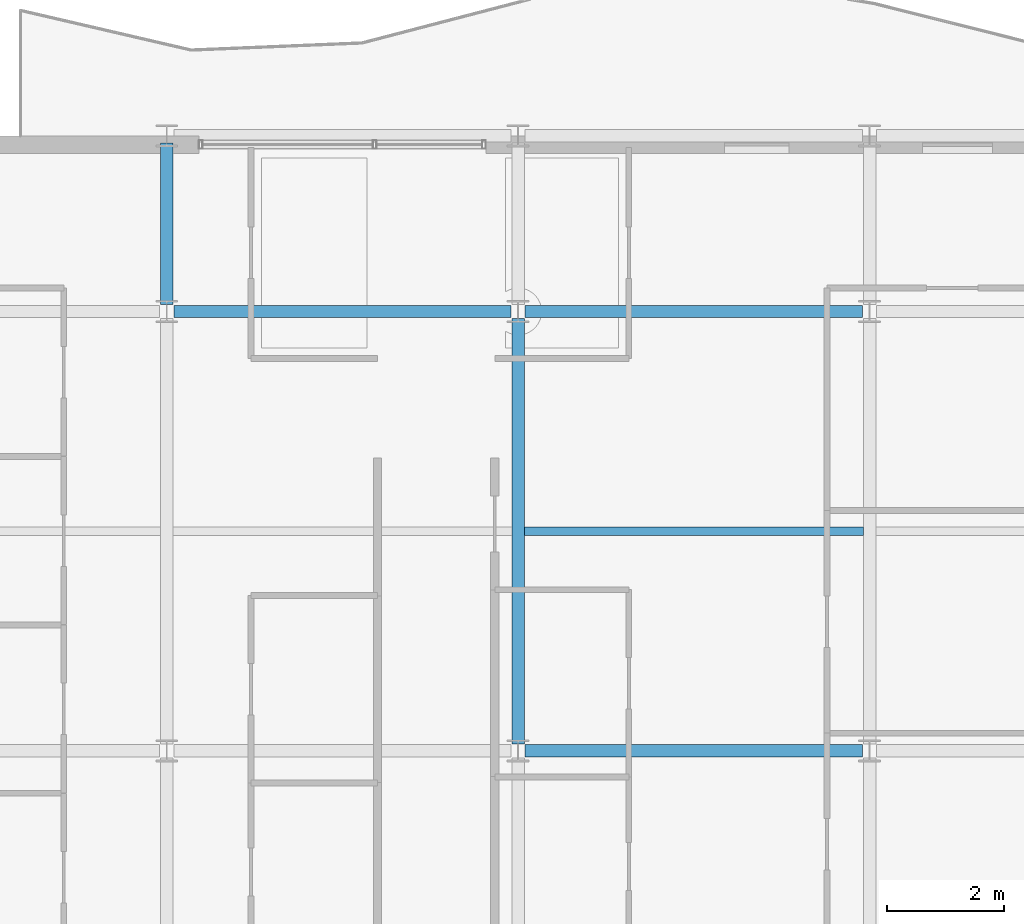
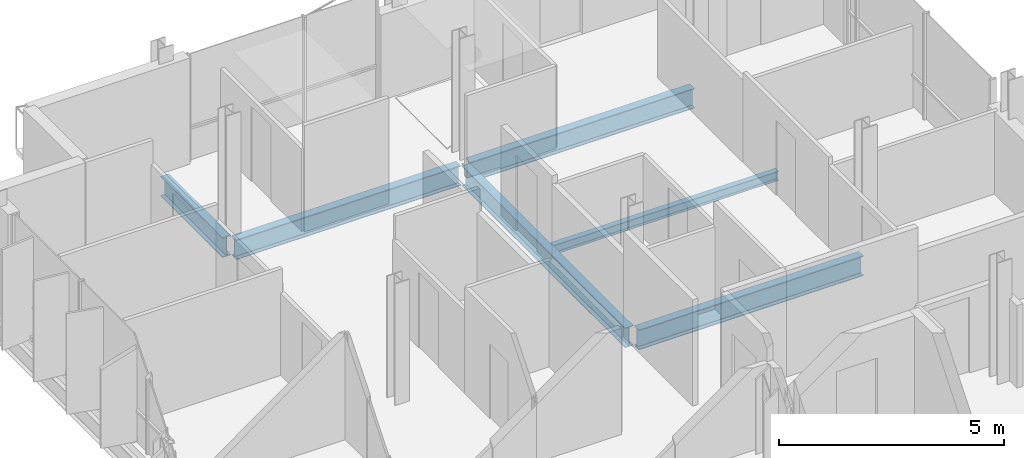
# One storey, part 7 of 30: 6 beams.
"""IFC4 building model written with IfcOpenShell, lengths in metres."""

from ifc_helpers import new_model, si_unit, direction, frame, origin, origin_2d, place, context, subcontext, project, spatial, i_section, extrude, material, material_profile, profile_set, type_object, element, save


model = new_model("IFC4")

# Units and contexts
model_context = context("Model", 3, precision=1e-05, world=origin(), true_north=direction((0.0, 1.0)))
body_context = subcontext(model_context, "Body", "Model", "MODEL_VIEW")
ifc_project = project(units=[si_unit("LENGTHUNIT", "METRE"), si_unit("AREAUNIT", "SQUARE_METRE"), si_unit("VOLUMEUNIT", "CUBIC_METRE"), si_unit("PLANEANGLEUNIT", "RADIAN"), si_unit("MASSUNIT", "GRAM", prefix="KILO")], contexts=[model_context])

# Site, building, storey
site_placement = place(None, origin())
site = spatial("IfcSite", under=ifc_project, at=site_placement, CompositionType="ELEMENT")
building_placement = place(site_placement, origin())
building = spatial("IfcBuilding", under=site, at=building_placement, Name="Brevholm Reach", CompositionType="ELEMENT")
storey_placement = place(building_placement, frame((0.0, 0.0, 211.10009765625)))
storey = spatial("IfcBuildingStorey", under=building, at=storey_placement, Name="L64", CompositionType="ELEMENT", Elevation=211.10009765625)

# Beams
ifc_material_1 = material(Name="Structural Steel S355J2", Category="steel")
ifc_material_profile_1 = material_profile(ifc_material_1, i_section(OverallWidth=0.14599609375, OverallDepth=0.25146484375, WebThickness=0.006103515625, FlangeThickness=0.008544921875, FilletRadius=0.007568359375, at=origin_2d()), Name="UKB 254x146x31")
ifc_profile_set_1 = profile_set([ifc_material_profile_1], Name="Structural Steel S355J2")
beam_type_1 = type_object("IfcBeamType", Name="BM-B254", PredefinedType="BEAM", material=ifc_profile_set_1)
beam_1_placement = place(storey_placement, frame((12.10546875, 19.75, -0.335693359375), z_axis=(1.0, 0.0, 0.0), x_axis=(0.0, 1.0, 0.0)))
element("IfcBeam", 1, at=beam_1_placement, inside=storey, type_object=beam_type_1, Name="L64 Composite Secondary Floor Beam", PredefinedType="BEAM", context=body_context, shape_type="SweptSolid", body=[
    extrude(i_section(OverallWidth=0.14599609375, OverallDepth=0.25146484375, WebThickness=0.006103515625, FlangeThickness=0.008544921875, FilletRadius=0.007568359375, at=origin_2d()), origin(), (0.0, 0.0, 1.0), 5.7890625),
])
ifc_material_2 = material(Name="Structural Steel S355J2", Category="steel")
ifc_material_profile_2 = material_profile(ifc_material_2, i_section(OverallWidth=0.210693359375, OverallDepth=0.53955078125, WebThickness=0.01171875, FlangeThickness=0.018798828125, FilletRadius=0.0126953125, at=origin_2d()), Name="UKB 533x210x109")
ifc_profile_set_2 = profile_set([ifc_material_profile_2], Name="Structural Steel S355J2")
beam_type_2 = type_object("IfcBeamType", Name="BM-SP539", PredefinedType="SPANDREL", material=ifc_profile_set_2)
for number, where, z_axis, x_axis, name in (
    (2, (12.1201171875, 16.0, -0.479736328125), (1.0, 0.0, 0.0), (0.0, 1.0, 0.0), "L64 SP-01B Framing Beam"),
    (3, (6.1201171875, 23.5, -0.479736328125), (1.0, 0.0, 0.0), (0.0, 1.0, 0.0), "L64 SP-01B Framing Beam"),
    (4, (12.1201171875, 23.5, -0.479736328125), (1.0, 0.0, 0.0), (0.0, 1.0, 0.0), "L64 SP-01B Framing Beam"),
):
    element("IfcBeam", number, at=place(storey_placement, frame(where, z_axis=z_axis, x_axis=x_axis)), inside=storey, type_object=beam_type_2, Name=name, PredefinedType="SPANDREL", context=body_context, shape_type="SweptSolid", body=[
        extrude(i_section(OverallWidth=0.210693359375, OverallDepth=0.53955078125, WebThickness=0.01171875, FlangeThickness=0.018798828125, FilletRadius=0.0126953125, at=origin_2d()), origin(), (0.0, 0.0, 1.0), 5.759765625),
    ])
beam_2_placement = place(storey_placement, frame((6.0, 23.6201171875, -0.479736328125), z_axis=(0.0, 1.0, 0.0), x_axis=(-1.0, 0.0, 0.0)))
element("IfcBeam", 5, at=beam_2_placement, inside=storey, type_object=beam_type_2, Name="L64 SP-01B Framing Beam", PredefinedType="SPANDREL", context=body_context, shape_type="SweptSolid", body=[
    extrude(i_section(OverallWidth=0.210693359375, OverallDepth=0.53955078125, WebThickness=0.01171875, FlangeThickness=0.018798828125, FilletRadius=0.0126953125, at=origin_2d()), origin(), (0.0, 0.0, 1.0), 2.759765625),
])
beam_3_placement = place(storey_placement, frame((12.0, 16.1201171875, -0.479736328125), z_axis=(0.0, 1.0, 0.0), x_axis=(-1.0, 0.0, 0.0)))
element("IfcBeam", 6, at=beam_3_placement, inside=storey, type_object=beam_type_2, Name="L64 SP-01B Framing Beam", PredefinedType="SPANDREL", context=body_context, shape_type="SweptSolid", body=[
    extrude(i_section(OverallWidth=0.210693359375, OverallDepth=0.53955078125, WebThickness=0.01171875, FlangeThickness=0.018798828125, FilletRadius=0.0126953125, at=origin_2d()), origin(), (0.0, 0.0, 1.0), 7.259765625),
])

save(model, "model.ifc")
